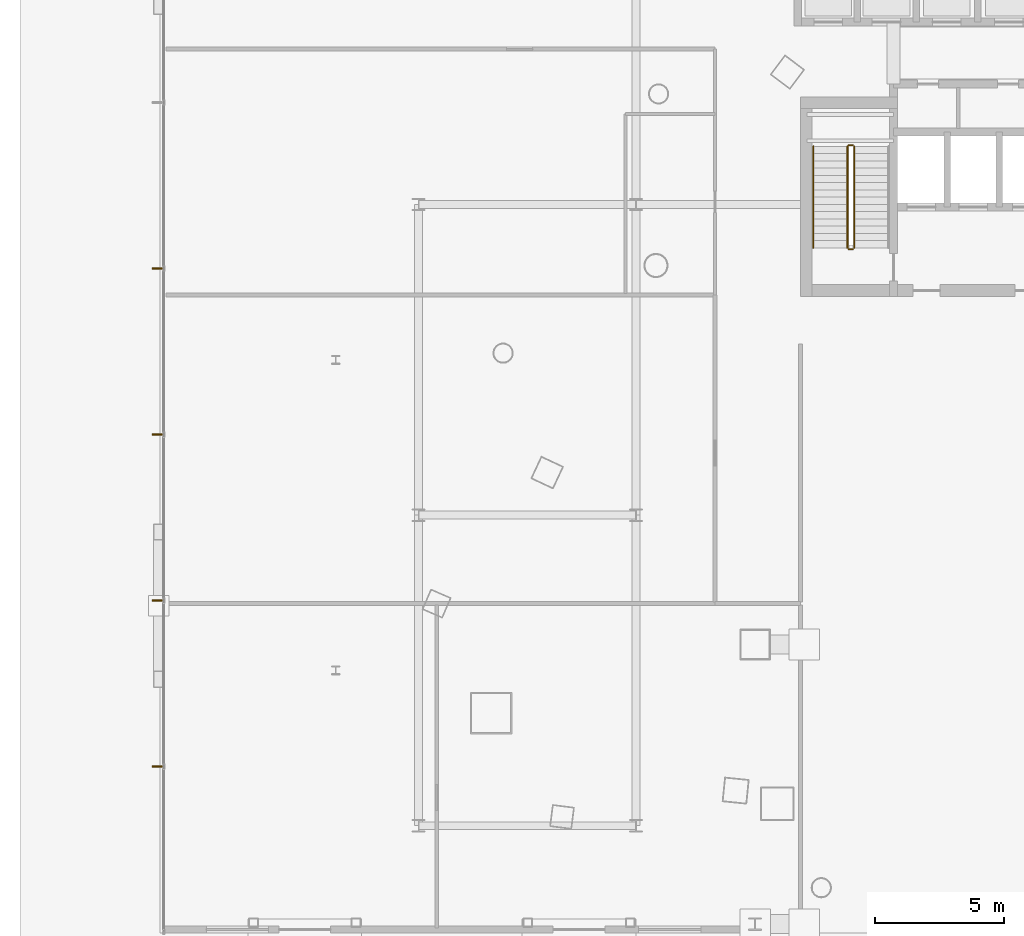
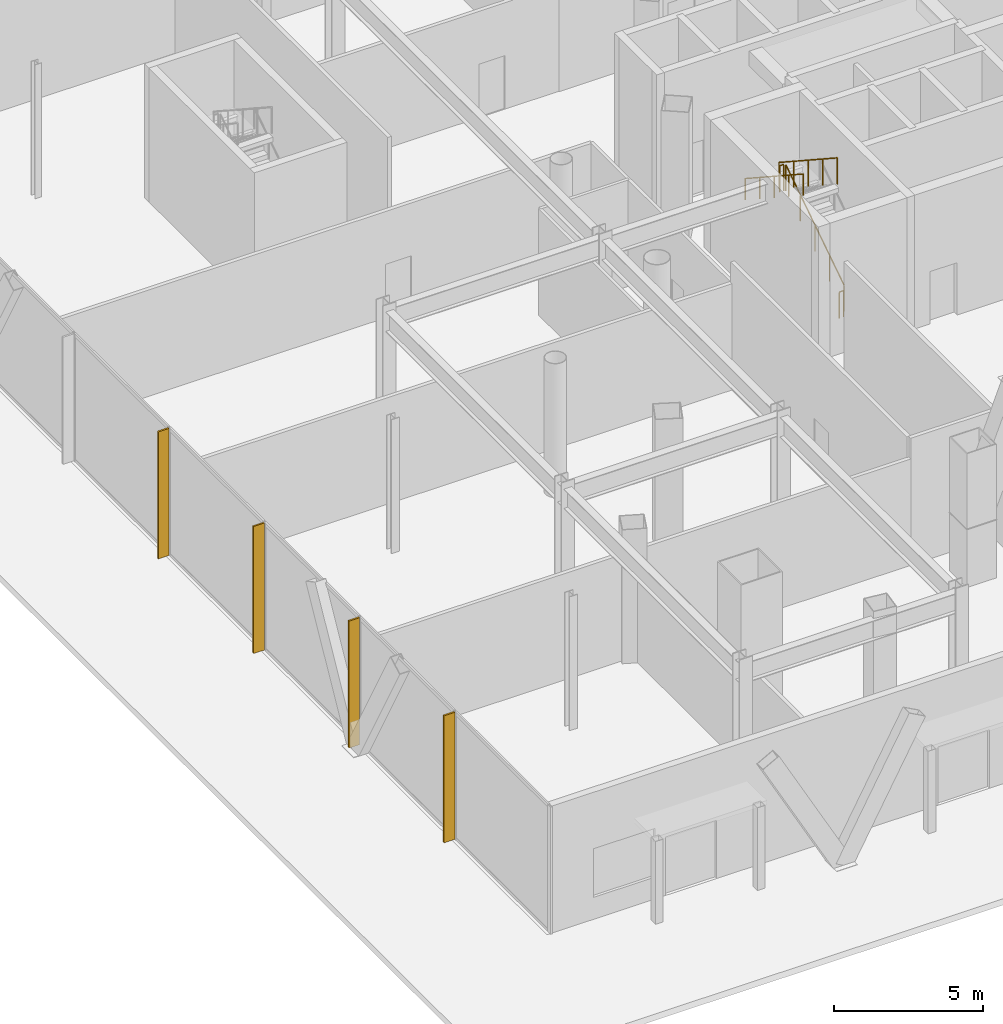
# One storey, part 31 of 38: 5 railings, 4 shading devices.
"""IFC4 building model written with IfcOpenShell, lengths in metres."""

from ifc_helpers import new_model, si_unit, direction, frame, origin, origin_2d, place, context, subcontext, project, spatial, rectangle, circle, extrude, material, layer, layer_set, type_object, element, save


model = new_model("IFC4")

# Units and contexts
model_context = context("Model", 3, precision=1e-05, world=origin(), true_north=direction((0.0, 1.0)))
body_context = subcontext(model_context, "Body", "Model", "MODEL_VIEW")
ifc_project = project(units=[si_unit("LENGTHUNIT", "METRE"), si_unit("AREAUNIT", "SQUARE_METRE"), si_unit("VOLUMEUNIT", "CUBIC_METRE"), si_unit("PLANEANGLEUNIT", "RADIAN"), si_unit("MASSUNIT", "GRAM", prefix="KILO")], contexts=[model_context])

# Site, building, storey
site_placement = place(None, origin())
site = spatial("IfcSite", under=ifc_project, at=site_placement, CompositionType="ELEMENT")
building_placement = place(site_placement, origin())
building = spatial("IfcBuilding", under=site, at=building_placement, Name="Orvanel Arch Residences", CompositionType="ELEMENT")
storey_placement = place(building_placement, origin())
storey = spatial("IfcBuildingStorey", under=building, at=storey_placement, Name="L00", CompositionType="ELEMENT", Elevation=0.0)

# Shading devices
ifc_material_1 = material(Name="Bronze-anodised aluminium AA6063-T6", Category="aluminium")
ifc_layer = layer(ifc_material_1, 0.06494140625)
ifc_layer_set = layer_set([ifc_layer], Name="Bronze-anodised aluminium AA6063-T6")
shading_device_type = type_object("IfcShadingDeviceType", Name="FIN-BRZ-420", PredefinedType="USERDEFINED", material=ifc_layer_set)
for number, where, z_axis, x_axis, name in (
    (1, (1.31005859375, 27.52490234375, 0.0), (0.0, 0.0, 1.0), (-1.0, 0.0, 0.0), "L00 Anodised Bronze Mullion FIN 04"),
    (2, (1.31005859375, 21.111083984375, 0.0), (0.0, 0.0, 1.0), (-1.0, 0.0, 0.0), "L00 Anodised Bronze Mullion FIN 05"),
    (3, (1.31005859375, 14.697021484375, 0.0), (0.0, 0.0, 1.0), (-1.0, 0.0, 0.0), "L00 Anodised Bronze Mullion FIN 06"),
    (4, (1.31005859375, 8.283935546875, 0.0), (0.0, 0.0, 1.0), (-1.0, 0.0, 0.0), "L00 Anodised Bronze Mullion FIN 07"),
):
    element("IfcShadingDevice", number, at=place(storey_placement, frame(where, z_axis=z_axis, x_axis=x_axis)), inside=storey, type_object=shading_device_type, Name=name, ObjectType="FIN", PredefinedType="USERDEFINED", context=body_context, shape_type="SweptSolid", body=[
        extrude(rectangle(XDim=0.419921875, YDim=0.06494140625, at=origin_2d()), origin(), (0.0, 0.0, 1.0), 5.219970703125),
    ])

# Railings
ifc_material_2 = material(Name="Structural steel AS/NZS 1163 C350L0 (Grade 350)", Category="steel")
railing_type_1 = type_object("IfcRailingType", Name="RL-STAIR-GUARD", PredefinedType="GUARDRAIL", material=ifc_material_2)
railing_1_placement = place(storey_placement, frame((28.22998046875, 28.320068359375, 0.183349609375)))
element("IfcRailing", 5, at=railing_1_placement, inside=storey, type_object=railing_type_1, Name="L00 ST-1 stair guard 1", PredefinedType="GUARDRAIL", context=body_context, shape_type="SweptSolid", body=[
    extrude(circle(Radius=0.02392578125, at=origin_2d()), frame((0.0, 0.001220703125, 1.076904296875), z_axis=(0.0, 0.836615117243, 0.547791151444), x_axis=(-1.0, 0.0, 0.0)), (0.0, 0.0, 1.0), 4.682373046875),
    extrude(circle(Radius=0.02099609375, at=origin_2d()), origin(), (0.0, 0.0, 1.0), 1.050048828125),
    extrude(circle(Radius=0.02099609375, at=origin_2d()), frame((0.0, 0.97998046875, 0.6416015625)), (0.0, 0.0, 1.0), 1.050048828125),
    extrude(circle(Radius=0.02099609375, at=origin_2d()), frame((0.0, 1.9599609375, 1.283203125)), (0.0, 0.0, 1.0), 1.050048828125),
    extrude(circle(Radius=0.02099609375, at=origin_2d()), frame((0.0, 2.93994140625, 1.925048828125)), (0.0, 0.0, 1.0), 1.050048828125),
    extrude(circle(Radius=0.02099609375, at=origin_2d()), frame((0.0, 3.919921875, 2.566650390625)), (0.0, 0.0, 1.0), 1.050048828125),
])
railing_2_placement = place(storey_placement, frame((28.179931640625, 32.2900390625, 2.75)))
element("IfcRailing", 6, at=railing_2_placement, inside=storey, type_object=railing_type_1, Name="L00 ST-1 stair guard 2", PredefinedType="GUARDRAIL", context=body_context, shape_type="SweptSolid", body=[
    extrude(circle(Radius=0.02392578125, at=origin_2d()), frame((-0.00146484375, 0.0, 1.076171875), z_axis=(-1.0, 0.0, 0.0), x_axis=(0.0, -1.0, 0.0)), (0.0, 0.0, 1.0), 0.156982421875),
    extrude(circle(Radius=0.02099609375, at=origin_2d()), origin(), (0.0, 0.0, 1.0), 1.050048828125),
    extrude(circle(Radius=0.02099609375, at=origin_2d()), frame((-0.159912109375, 0.0, 0.0)), (0.0, 0.0, 1.0), 1.050048828125),
])
railing_3_placement = place(storey_placement, frame((27.969970703125, 32.239990234375, 2.933349609375)))
element("IfcRailing", 7, at=railing_3_placement, inside=storey, type_object=railing_type_1, Name="L00 ST-1 stair guard 3", PredefinedType="GUARDRAIL", context=body_context, shape_type="SweptSolid", body=[
    extrude(circle(Radius=0.02392578125, at=origin_2d()), frame((0.0, -0.001220703125, 1.076904296875), z_axis=(0.0, -0.836615117243, 0.547791151444), x_axis=(1.0, 0.0, 0.0)), (0.0, 0.0, 1.0), 4.682373046875),
    extrude(circle(Radius=0.02099609375, at=origin_2d()), origin(), (0.0, 0.0, 1.0), 1.050048828125),
    extrude(circle(Radius=0.02099609375, at=origin_2d()), frame((0.0, -0.97998046875, 0.6416015625)), (0.0, 0.0, 1.0), 1.050048828125),
    extrude(circle(Radius=0.02099609375, at=origin_2d()), frame((0.0, -1.9599609375, 1.283203125)), (0.0, 0.0, 1.0), 1.050048828125),
    extrude(circle(Radius=0.02099609375, at=origin_2d()), frame((0.0, -2.93994140625, 1.925048828125)), (0.0, 0.0, 1.0), 1.050048828125),
    extrude(circle(Radius=0.02099609375, at=origin_2d()), frame((0.0, -3.919921875, 2.566650390625)), (0.0, 0.0, 1.0), 1.050048828125),
])
railing_4_placement = place(storey_placement, frame((28.179931640625, 28.27001953125, 0.0)))
element("IfcRailing", 8, at=railing_4_placement, inside=storey, type_object=railing_type_1, Name="L00 ST-1 stair guard 4", PredefinedType="GUARDRAIL", context=body_context, shape_type="SweptSolid", body=[
    extrude(circle(Radius=0.02392578125, at=origin_2d()), frame((-0.00146484375, 0.0, 1.076171875), z_axis=(-1.0, 0.0, 0.0), x_axis=(0.0, -1.0, 0.0)), (0.0, 0.0, 1.0), 0.156982421875),
    extrude(circle(Radius=0.02099609375, at=origin_2d()), origin(), (0.0, 0.0, 1.0), 1.050048828125),
    extrude(circle(Radius=0.02099609375, at=origin_2d()), frame((-0.159912109375, 0.0, 0.0)), (0.0, 0.0, 1.0), 1.050048828125),
])
railing_type_2 = type_object("IfcRailingType", Name="RL-STAIR-HAND", PredefinedType="HANDRAIL", material=ifc_material_2)
railing_5_placement = place(storey_placement, frame((26.64990234375, 32.239990234375, 2.933349609375)))
element("IfcRailing", 9, at=railing_5_placement, inside=storey, type_object=railing_type_2, Name="L00 ST-1 stair handrail 2", PredefinedType="HANDRAIL", context=body_context, shape_type="SweptSolid", body=[
    extrude(circle(Radius=0.02392578125, at=origin_2d()), frame((0.0, -0.001220703125, 0.876708984375), z_axis=(0.0, -0.836615117243, 0.547791151444), x_axis=(1.0, 0.0, 0.0)), (0.0, 0.0, 1.0), 4.682373046875),
    extrude(circle(Radius=0.02099609375, at=origin_2d()), origin(), (0.0, 0.0, 1.0), 0.849853515625),
    extrude(circle(Radius=0.02099609375, at=origin_2d()), frame((0.0, -0.97998046875, 0.6416015625)), (0.0, 0.0, 1.0), 0.849853515625),
    extrude(circle(Radius=0.02099609375, at=origin_2d()), frame((0.0, -1.9599609375, 1.283203125)), (0.0, 0.0, 1.0), 0.849853515625),
    extrude(circle(Radius=0.02099609375, at=origin_2d()), frame((0.0, -2.93994140625, 1.925048828125)), (0.0, 0.0, 1.0), 0.849853515625),
    extrude(circle(Radius=0.02099609375, at=origin_2d()), frame((0.0, -3.919921875, 2.566650390625)), (0.0, 0.0, 1.0), 0.849853515625),
])

save(model, "model.ifc")
